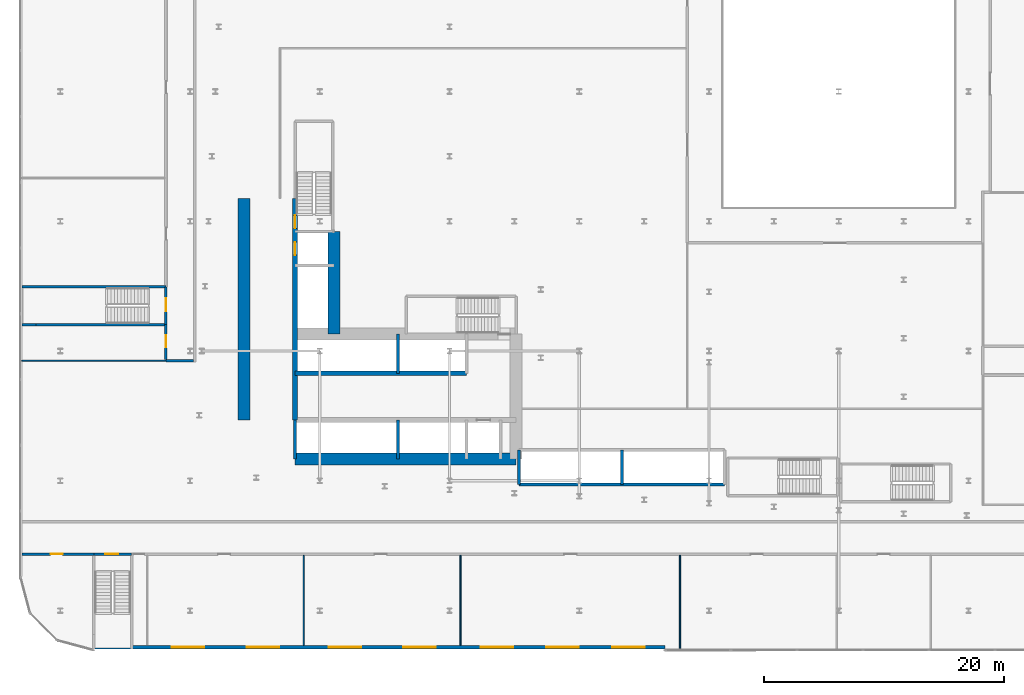
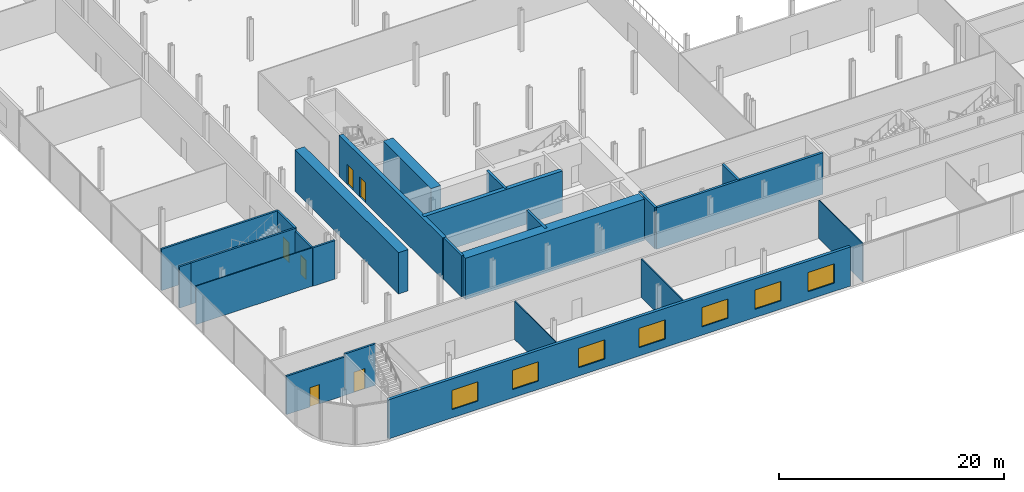
# One storey, part 26 of 47: 24 walls, 7 windows, 6 doors, 13 openings.
"""IFC4 building model written with IfcOpenShell, lengths in metres."""

from ifc_helpers import new_model, si_unit, direction, frame, frame_2d, origin, place, context, subcontext, project, spatial, rectangle, extrude, source, transform, mapped, material, layer, layer_set, type_object, element, fill, save


model = new_model("IFC4")

# Units and contexts
model_context = context("Model", 3, precision=1e-05, world=origin(), true_north=direction((0.0, 1.0)))
body_context = subcontext(model_context, "Body", "Model", "MODEL_VIEW")
ifc_project = project(units=[si_unit("LENGTHUNIT", "METRE"), si_unit("AREAUNIT", "SQUARE_METRE"), si_unit("VOLUMEUNIT", "CUBIC_METRE"), si_unit("PLANEANGLEUNIT", "RADIAN"), si_unit("MASSUNIT", "GRAM", prefix="KILO")], contexts=[model_context])

# Site, building, storey
site_placement = place(None, origin())
site = spatial("IfcSite", under=ifc_project, at=site_placement, CompositionType="ELEMENT")
building_placement = place(site_placement, origin())
building = spatial("IfcBuilding", under=site, at=building_placement, Name="Kheshtan School and Residences Tower", CompositionType="ELEMENT")
storey_placement = place(building_placement, frame((0.0, 0.0, 12.5)))
storey = spatial("IfcBuildingStorey", under=building, at=storey_placement, Name="L02", CompositionType="ELEMENT", Elevation=12.5)

# Walls
ifc_material_1 = material(Name="Concrete C80/95", Category="concrete")
ifc_layer_1 = layer(ifc_material_1, 1.0)
ifc_layer_set_1 = layer_set([ifc_layer_1], Name="Core wall 1000 Concrete C80/95")
wall_type_1 = type_object("IfcWallType", Name="Core wall 1000 Concrete C80/95", PredefinedType="SHEAR", material=ifc_layer_set_1)
wall_1_placement = place(storey_placement, frame((34.75, 25.800048828125, 0.0), z_axis=(0.0, 0.0, 1.0), x_axis=(1.0, 0.0, 0.0)))
element("IfcWall", 1, at=wall_1_placement, inside=storey, type_object=wall_type_1, Name="Core wall CW-REAR-S", PredefinedType="SHEAR", context=body_context, shape_type="SweptSolid", body=[
    extrude(rectangle(XDim=18.39990234375, YDim=1.0, at=frame_2d((9.199951171875, 0.0))), origin(), (0.0, 0.0, 1.0), 4.5),
])
wall_2_placement = place(storey_placement, frame((38.0, 36.199951171875, 0.0), z_axis=(0.0, 0.0, 1.0), x_axis=(0.0, 1.0, 0.0)))
element("IfcWall", 2, at=wall_2_placement, inside=storey, type_object=wall_type_1, Name="Core wall CW-FRONT-W", PredefinedType="SHEAR", context=body_context, shape_type="SweptSolid", body=[
    extrude(rectangle(XDim=8.550048828125, YDim=1.0, at=frame_2d((4.27490234375, 0.0))), origin(), (0.0, 0.0, 1.0), 4.5),
])
wall_3_placement = place(storey_placement, frame((30.5, 29.050048828125, 0.0), z_axis=(0.0, 0.0, 1.0), x_axis=(0.0, 1.0, 0.0)))
element("IfcWall", 3, at=wall_3_placement, inside=storey, type_object=wall_type_1, Name="Core wall CW-REAR-W", PredefinedType="SHEAR", context=body_context, shape_type="SweptSolid", body=[
    extrude(rectangle(XDim=18.449951171875, YDim=1.0, at=frame_2d((9.22509765625, 0.0))), origin(), (0.0, 0.0, 1.0), 4.5),
])
ifc_material_2 = material(Name="Concrete C50/60", Category="concrete")
ifc_layer_2 = layer(ifc_material_2, 0.39990234375)
ifc_layer_set_2 = layer_set([ifc_layer_2], Name="Core wall 400 Concrete C50/60")
wall_type_2 = type_object("IfcWallType", Name="Core wall 400 Concrete C50/60", PredefinedType="SHEAR", material=ifc_layer_set_2)
wall_4_placement = place(storey_placement, frame((34.75, 32.949951171875, 0.0), z_axis=(0.0, 0.0, 1.0), x_axis=(1.0, 0.0, 0.0)))
element("IfcWall", 4, at=wall_4_placement, inside=storey, type_object=wall_type_2, Name="Core wall CW-HALL-S2", PredefinedType="SHEAR", context=body_context, shape_type="SweptSolid", body=[
    extrude(rectangle(XDim=14.25, YDim=0.39990234375, at=frame_2d((7.125, 0.0))), origin(), (0.0, 0.0, 1.0), 4.5),
])

# Wall, openings, doors
wall_5_placement = place(storey_placement, frame((34.75, 29.050048828125, 0.0), z_axis=(0.0, 0.0, 1.0), x_axis=(0.0, 1.0, 0.0)))
wall_5 = element("IfcWall", 5, at=wall_5_placement, inside=storey, type_object=wall_type_2, Name="Core wall CW-HALL-W1", PredefinedType="SHEAR", context=body_context, shape_type="SweptSolid", body=[
    extrude(rectangle(XDim=18.449951171875, YDim=0.39990234375, at=frame_2d((9.22509765625, 0.0))), origin(), (0.0, 0.0, 1.0), 4.5),
])
opening_1_placement = place(wall_5_placement, frame((13.72509765625, 0.0, 0.0)))
opening_1 = element("IfcOpeningElement", 6, at=opening_1_placement, cuts=wall_5, Name="Opening LD", PredefinedType="OPENING", context=body_context, shape_type="SweptSolid", body=[
    extrude(rectangle(XDim=1.10009765625, YDim=2.199951171875, at=frame_2d((0.550048828125, 1.10009765625))), frame((0.0, 0.2099609375, 0.0), z_axis=(0.0, -1.0, 0.0), x_axis=(1.0, 0.0, 0.0)), (0.0, 0.0, 1.0), 0.419921875),
])
opening_2_placement = place(wall_5_placement, frame((15.949951171875, 0.0, 0.0)))
opening_2 = element("IfcOpeningElement", 7, at=opening_2_placement, cuts=wall_5, Name="Opening ST2D", PredefinedType="OPENING", context=body_context, shape_type="SweptSolid", body=[
    extrude(rectangle(XDim=1.10009765625, YDim=2.199951171875, at=frame_2d((0.550048828125, 1.10009765625))), frame((0.0, 0.2099609375, 0.0), z_axis=(0.0, -1.0, 0.0), x_axis=(1.0, 0.0, 0.0)), (0.0, 0.0, 1.0), 0.419921875),
])
ifc_material_3 = material(Name="Stainless steel door leaves", Category="steel")
door_type_1 = type_object("IfcDoorType", Name="Lift landing door 1100", OperationType="SLIDING_TO_LEFT", PredefinedType="DOOR", material=ifc_material_3)
shared_shape_1 = source(origin(), body_context, "Body", "SweptSolid", [
    extrude(rectangle(XDim=1.10009765625, YDim=2.199951171875, at=frame_2d((0.550048828125, 1.10009765625))), frame((0.0, 0.02490234375, 0.0), z_axis=(0.0, -1.0, 0.0), x_axis=(1.0, 0.0, 0.0)), (0.0, 0.0, 1.0), 0.050048828125),
])
door_1_placement = place(opening_1_placement, origin())
door_1 = element("IfcDoor", 8, at=door_1_placement, inside=storey, type_object=door_type_1, Name="Lift FFL1 landing door", OperationType="SLIDING_TO_LEFT", OverallHeight=2.199951171875, OverallWidth=1.10009765625, PredefinedType="DOOR", context=body_context, shape_type="MappedRepresentation", body=[
    mapped(shared_shape_1, transform((0.0, 0.0, 0.0), x_axis=(1.0, 0.0, 0.0), y_axis=(0.0, 1.0, 0.0), z_axis=(0.0, 0.0, 1.0), scale=1.0)),
])
fill(opening_1, door_1)
ifc_material_4 = material(Name="Steel door leaf, galvanised", Category="steel")
door_type_2 = type_object("IfcDoorType", Name="Stair door 1100 steel 90 min", OperationType="SINGLE_SWING_LEFT", PredefinedType="DOOR", material=ifc_material_4)
shared_shape_2 = source(origin(), body_context, "Body", "SweptSolid", [
    extrude(rectangle(XDim=1.10009765625, YDim=2.199951171875, at=frame_2d((0.550048828125, 1.10009765625))), frame((0.0, 0.02490234375, 0.0), z_axis=(0.0, -1.0, 0.0), x_axis=(1.0, 0.0, 0.0)), (0.0, 0.0, 1.0), 0.050048828125),
])
door_2_placement = place(opening_2_placement, origin())
door_2 = element("IfcDoor", 9, at=door_2_placement, inside=storey, type_object=door_type_2, Name="Stair ST2 door", OperationType="SINGLE_SWING_RIGHT", OverallHeight=2.199951171875, OverallWidth=1.10009765625, PredefinedType="DOOR", context=body_context, shape_type="MappedRepresentation", body=[
    mapped(shared_shape_2, transform((0.0, 0.0, 0.0), x_axis=(1.0, 0.0, 0.0), y_axis=(0.0, 1.0, 0.0), z_axis=(0.0, 0.0, 1.0), scale=1.0)),
])
fill(opening_2, door_2)

# Wall, opening, door
ifc_material_5 = material(Name="Gypsum board on steel studs with fire boards", Category="steel")
ifc_layer_3 = layer(ifc_material_5, 0.199951171875)
ifc_layer_set_3 = layer_set([ifc_layer_3], Name="Corridor wall 200")
wall_type_3 = type_object("IfcWallType", Name="Corridor wall 200", PredefinedType="PARTITIONING", material=ifc_layer_set_3)
wall_6_placement = place(storey_placement, frame((12.0, 17.89990234375, 0.0), z_axis=(0.0, 0.0, 1.0), x_axis=(1.0, 0.0, 0.0)))
wall_6 = element("IfcWall", 10, at=wall_6_placement, inside=storey, type_object=wall_type_3, Name="Partition L02-001", PredefinedType="PARTITIONING", context=body_context, shape_type="SweptSolid", body=[
    extrude(rectangle(XDim=6.0, YDim=0.199951171875, at=frame_2d((3.0, 0.0))), origin(), (0.0, 0.0, 1.0), 4.179931640625),
])
opening_3_placement = place(wall_6_placement, frame((2.39990234375, 0.0, 0.0)))
opening_3 = element("IfcOpeningElement", 11, at=opening_3_placement, cuts=wall_6, Name="Opening D02-034", PredefinedType="OPENING", context=body_context, shape_type="SweptSolid", body=[
    extrude(rectangle(XDim=1.0, YDim=2.10009765625, at=frame_2d((0.5, 1.050048828125))), frame((0.0, 0.10986328125, 0.0), z_axis=(0.0, -1.0, 0.0), x_axis=(1.0, 0.0, 0.0)), (0.0, 0.0, 1.0), 0.219970703125),
])
ifc_material_6 = material(Name="Steel-framed fire-resisting door leaf", Category="steel")
door_type_3 = type_object("IfcDoorType", Name="Fire door FD60 1000 x 2100", OperationType="SINGLE_SWING_LEFT", PredefinedType="DOOR", material=ifc_material_6)
shared_shape_3 = source(origin(), body_context, "Body", "SweptSolid", [
    extrude(rectangle(XDim=1.0, YDim=2.10009765625, at=frame_2d((0.5, 1.050048828125))), frame((0.0, 0.02490234375, 0.0), z_axis=(0.0, -1.0, 0.0), x_axis=(1.0, 0.0, 0.0)), (0.0, 0.0, 1.0), 0.050048828125),
])
door_3_placement = place(opening_3_placement, origin())
door_3 = element("IfcDoor", 12, at=door_3_placement, inside=storey, type_object=door_type_3, Name="Door D02-034", OperationType="SINGLE_SWING_LEFT", OverallHeight=2.10009765625, OverallWidth=1.0, PredefinedType="DOOR", context=body_context, shape_type="MappedRepresentation", body=[
    mapped(shared_shape_3, transform((0.0, 0.0, 0.0), x_axis=(1.0, 0.0, 0.0), y_axis=(0.0, 1.0, 0.0), z_axis=(0.0, 0.0, 1.0), scale=1.0)),
])
fill(opening_3, door_3)

# Wall
wall_7_placement = place(storey_placement, frame((24.0, 34.0, 0.0), z_axis=(0.0, 0.0, 1.0), x_axis=(1.0, 0.0, 0.0)))
element("IfcWall", 13, at=wall_7_placement, inside=storey, type_object=wall_type_3, Name="Partition L02-010", PredefinedType="PARTITIONING", context=body_context, shape_type="SweptSolid", body=[
    extrude(rectangle(XDim=2.300048828125, YDim=0.199951171875, at=frame_2d((1.14990234375, 0.0))), origin(), (0.0, 0.0, 1.0), 4.179931640625),
])

# Wall, opening, door
wall_8_placement = place(storey_placement, frame((24.0, 34.10009765625, 0.0), z_axis=(0.0, 0.0, 1.0), x_axis=(0.0, 1.0, 0.0)))
wall_8 = element("IfcWall", 14, at=wall_8_placement, inside=storey, type_object=wall_type_3, Name="Partition L02-011", PredefinedType="PARTITIONING", context=body_context, shape_type="SweptSolid", body=[
    extrude(rectangle(XDim=2.89990234375, YDim=0.199951171875, at=frame_2d((1.449951171875, 0.0))), origin(), (0.0, 0.0, 1.0), 4.179931640625),
])
opening_4_placement = place(wall_8_placement, frame((1.0, 0.0, 0.0)))
opening_4 = element("IfcOpeningElement", 15, at=opening_4_placement, cuts=wall_8, Name="Opening D02-052", PredefinedType="OPENING", context=body_context, shape_type="SweptSolid", body=[
    extrude(rectangle(XDim=1.0, YDim=2.10009765625, at=frame_2d((0.5, 1.050048828125))), frame((0.0, 0.10986328125, 0.0), z_axis=(0.0, -1.0, 0.0), x_axis=(1.0, 0.0, 0.0)), (0.0, 0.0, 1.0), 0.219970703125),
])
door_4_placement = place(opening_4_placement, origin())
door_4 = element("IfcDoor", 16, at=door_4_placement, inside=storey, type_object=door_type_3, Name="Door D02-052", OperationType="SINGLE_SWING_RIGHT", OverallHeight=2.10009765625, OverallWidth=1.0, PredefinedType="DOOR", context=body_context, shape_type="MappedRepresentation", body=[
    mapped(shared_shape_3, transform((0.0, 0.0, 0.0), x_axis=(1.0, 0.0, 0.0), y_axis=(0.0, 1.0, 0.0), z_axis=(0.0, 0.0, 1.0), scale=1.0)),
])
fill(opening_4, door_4)

# Walls
ifc_material_7 = material(Name="Gypsum board on steel studs", Category="steel")
ifc_layer_4 = layer(ifc_material_7, 0.10009765625)
ifc_layer_set_4 = layer_set([ifc_layer_4], Name="Gypsum partition 100")
wall_type_4 = type_object("IfcWallType", Name="Gypsum partition 100", PredefinedType="PARTITIONING", material=ifc_layer_set_4)
wall_9_placement = place(storey_placement, frame((12.0, 34.0, 0.0), z_axis=(0.0, 0.0, 1.0), x_axis=(1.0, 0.0, 0.0)))
element("IfcWall", 17, at=wall_9_placement, inside=storey, type_object=wall_type_4, Name="Partition L02-003", PredefinedType="PARTITIONING", context=body_context, shape_type="SweptSolid", body=[
    extrude(rectangle(XDim=12.0, YDim=0.10009765625, at=frame_2d((6.0, 0.0))), origin(), (0.0, 0.0, 1.0), 4.179931640625),
])
for number, where, z_axis, x_axis, name in (
    (18, (35.47802734375, 10.299072265625, 0.0), (0.0, 0.0, 1.0), (0.0, 1.0, 0.0), "Partition L02-017"),
    (19, (48.52197265625, 10.299072265625, 0.0), (0.0, 0.0, 1.0), (0.0, 1.0, 0.0), "Partition L02-018"),
):
    element("IfcWall", number, at=place(storey_placement, frame(where, z_axis=z_axis, x_axis=x_axis)), inside=storey, type_object=wall_type_4, Name=name, PredefinedType="PARTITIONING", context=body_context, shape_type="SweptSolid", body=[
        extrude(rectangle(XDim=7.5009765625, YDim=0.10009765625, at=frame_2d((3.75048828125, 0.0))), origin(), (0.0, 0.0, 1.0), 4.179931640625),
    ])
wall_10_placement = place(storey_placement, frame((66.782958984375, 10.0, 0.0), z_axis=(0.0, 0.0, 1.0), x_axis=(0.0, 1.0, 0.0)))
element("IfcWall", 20, at=wall_10_placement, inside=storey, type_object=wall_type_4, Name="Partition L02-028", PredefinedType="PARTITIONING", context=body_context, shape_type="SweptSolid", body=[
    extrude(rectangle(XDim=7.800048828125, YDim=0.10009765625, at=frame_2d((3.89990234375, 0.0))), origin(), (0.0, 0.0, 1.0), 4.179931640625),
])

# Wall, openings, windows
ifc_material_8 = material(Name="Concrete C40/50 with ceramic cladding and mineral wool insulation", Category="concrete")
ifc_layer_5 = layer(ifc_material_8, 0.300048828125)
ifc_layer_set_5 = layer_set([ifc_layer_5], Name="Podium external wall 300")
wall_type_5 = type_object("IfcWallType", Name="Podium external wall 300", PredefinedType="SOLIDWALL", material=ifc_layer_set_5)
wall_11_placement = place(storey_placement, frame((65.52001953125, 10.14990234375, 0.0), z_axis=(0.0, 0.0, 1.0), x_axis=(-1.0, 0.0, 0.0)))
wall_11 = element("IfcWall", 21, at=wall_11_placement, inside=storey, type_object=wall_type_5, Name="Podium external wall L02 12.1", PredefinedType="SOLIDWALL", context=body_context, shape_type="SweptSolid", body=[
    extrude(rectangle(XDim=47.52001953125, YDim=0.300048828125, at=frame_2d((23.760009765625, 0.0))), origin(), (0.0, 0.0, 1.0), 4.25),
])
opening_5_placement = place(wall_11_placement, frame((1.68310546875, 0.0, 0.89990234375)))
opening_5 = element("IfcOpeningElement", 22, at=opening_5_placement, cuts=wall_11, Name="Opening WN-D", PredefinedType="OPENING", context=body_context, shape_type="SweptSolid", body=[
    extrude(rectangle(XDim=2.699951171875, YDim=2.10009765625, at=frame_2d((1.35009765625, 1.050048828125))), frame((0.0, 0.16015625, 0.0), z_axis=(0.0, -1.0, 0.0), x_axis=(1.0, 0.0, 0.0)), (0.0, 0.0, 1.0), 0.320068359375),
])
opening_6_placement = place(wall_11_placement, frame((7.14990234375, 0.0, 0.89990234375)))
opening_6 = element("IfcOpeningElement", 23, at=opening_6_placement, cuts=wall_11, Name="Opening WN-D", PredefinedType="OPENING", context=body_context, shape_type="SweptSolid", body=[
    extrude(rectangle(XDim=2.699951171875, YDim=2.10009765625, at=frame_2d((1.35009765625, 1.050048828125))), frame((0.0, 0.16015625, 0.0), z_axis=(0.0, -1.0, 0.0), x_axis=(1.0, 0.0, 0.0)), (0.0, 0.0, 1.0), 0.320068359375),
])
opening_7_placement = place(wall_11_placement, frame((12.616943359375, 0.0, 0.89990234375)))
opening_7 = element("IfcOpeningElement", 24, at=opening_7_placement, cuts=wall_11, Name="Opening WN-D", PredefinedType="OPENING", context=body_context, shape_type="SweptSolid", body=[
    extrude(rectangle(XDim=2.699951171875, YDim=2.10009765625, at=frame_2d((1.35009765625, 1.050048828125))), frame((0.0, 0.16015625, 0.0), z_axis=(0.0, -1.0, 0.0), x_axis=(1.0, 0.0, 0.0)), (0.0, 0.0, 1.0), 0.320068359375),
])
opening_8_placement = place(wall_11_placement, frame((19.06005859375, 0.0, 0.89990234375)))
opening_8 = element("IfcOpeningElement", 25, at=opening_8_placement, cuts=wall_11, Name="Opening WN-D", PredefinedType="OPENING", context=body_context, shape_type="SweptSolid", body=[
    extrude(rectangle(XDim=2.699951171875, YDim=2.10009765625, at=frame_2d((1.35009765625, 1.050048828125))), frame((0.0, 0.16015625, 0.0), z_axis=(0.0, -1.0, 0.0), x_axis=(1.0, 0.0, 0.0)), (0.0, 0.0, 1.0), 0.320068359375),
])
opening_9_placement = place(wall_11_placement, frame((25.280029296875, 0.0, 0.89990234375)))
opening_9 = element("IfcOpeningElement", 26, at=opening_9_placement, cuts=wall_11, Name="Opening WN-D", PredefinedType="OPENING", context=body_context, shape_type="SweptSolid", body=[
    extrude(rectangle(XDim=2.699951171875, YDim=2.10009765625, at=frame_2d((1.35009765625, 1.050048828125))), frame((0.0, 0.16015625, 0.0), z_axis=(0.0, -1.0, 0.0), x_axis=(1.0, 0.0, 0.0)), (0.0, 0.0, 1.0), 0.320068359375),
])
opening_10_placement = place(wall_11_placement, frame((32.10009765625, 0.0, 0.89990234375)))
opening_10 = element("IfcOpeningElement", 27, at=opening_10_placement, cuts=wall_11, Name="Opening WN-D", PredefinedType="OPENING", context=body_context, shape_type="SweptSolid", body=[
    extrude(rectangle(XDim=2.699951171875, YDim=2.10009765625, at=frame_2d((1.35009765625, 1.050048828125))), frame((0.0, 0.16015625, 0.0), z_axis=(0.0, -1.0, 0.0), x_axis=(1.0, 0.0, 0.0)), (0.0, 0.0, 1.0), 0.320068359375),
])
opening_11_placement = place(wall_11_placement, frame((38.320068359375, 0.0, 0.89990234375)))
opening_11 = element("IfcOpeningElement", 28, at=opening_11_placement, cuts=wall_11, Name="Opening WN-D", PredefinedType="OPENING", context=body_context, shape_type="SweptSolid", body=[
    extrude(rectangle(XDim=2.699951171875, YDim=2.10009765625, at=frame_2d((1.35009765625, 1.050048828125))), frame((0.0, 0.16015625, 0.0), z_axis=(0.0, -1.0, 0.0), x_axis=(1.0, 0.0, 0.0)), (0.0, 0.0, 1.0), 0.320068359375),
])
ifc_material_9 = material(Name="Clear low-e glass in thermally broken aluminium frame", Category="aluminium")
window_type = type_object("IfcWindowType", Name="Window WN-D", PartitioningType="SINGLE_PANEL", PredefinedType="WINDOW", material=ifc_material_9)
shared_shape_4 = source(origin(), body_context, "Body", "SweptSolid", [
    extrude(rectangle(XDim=2.699951171875, YDim=2.10009765625, at=frame_2d((1.35009765625, 1.050048828125))), frame((0.0, 0.030029296875, 0.0), z_axis=(0.0, -1.0, 0.0), x_axis=(1.0, 0.0, 0.0)), (0.0, 0.0, 1.0), 0.06005859375),
])
window_1_placement = place(opening_5_placement, origin())
window_1 = element("IfcWindow", 29, at=window_1_placement, inside=storey, type_object=window_type, Name="Window L02 12.1.1", OverallHeight=2.10009765625, OverallWidth=2.699951171875, PartitioningType="SINGLE_PANEL", PredefinedType="WINDOW", context=body_context, shape_type="MappedRepresentation", body=[
    mapped(shared_shape_4, transform((0.0, 0.0, 0.0), x_axis=(1.0, 0.0, 0.0), y_axis=(0.0, 1.0, 0.0), z_axis=(0.0, 0.0, 1.0), scale=1.0)),
])
fill(opening_5, window_1)
window_2_placement = place(opening_6_placement, origin())
window_2 = element("IfcWindow", 30, at=window_2_placement, inside=storey, type_object=window_type, Name="Window L02 12.1.2", OverallHeight=2.10009765625, OverallWidth=2.699951171875, PartitioningType="SINGLE_PANEL", PredefinedType="WINDOW", context=body_context, shape_type="MappedRepresentation", body=[
    mapped(shared_shape_4, transform((0.0, 0.0, 0.0), x_axis=(1.0, 0.0, 0.0), y_axis=(0.0, 1.0, 0.0), z_axis=(0.0, 0.0, 1.0), scale=1.0)),
])
fill(opening_6, window_2)
window_3_placement = place(opening_7_placement, origin())
window_3 = element("IfcWindow", 31, at=window_3_placement, inside=storey, type_object=window_type, Name="Window L02 12.1.3", OverallHeight=2.10009765625, OverallWidth=2.699951171875, PartitioningType="SINGLE_PANEL", PredefinedType="WINDOW", context=body_context, shape_type="MappedRepresentation", body=[
    mapped(shared_shape_4, transform((0.0, 0.0, 0.0), x_axis=(1.0, 0.0, 0.0), y_axis=(0.0, 1.0, 0.0), z_axis=(0.0, 0.0, 1.0), scale=1.0)),
])
fill(opening_7, window_3)
window_4_placement = place(opening_8_placement, origin())
window_4 = element("IfcWindow", 32, at=window_4_placement, inside=storey, type_object=window_type, Name="Window L02 12.1.4", OverallHeight=2.10009765625, OverallWidth=2.699951171875, PartitioningType="SINGLE_PANEL", PredefinedType="WINDOW", context=body_context, shape_type="MappedRepresentation", body=[
    mapped(shared_shape_4, transform((0.0, 0.0, 0.0), x_axis=(1.0, 0.0, 0.0), y_axis=(0.0, 1.0, 0.0), z_axis=(0.0, 0.0, 1.0), scale=1.0)),
])
fill(opening_8, window_4)
window_5_placement = place(opening_9_placement, origin())
window_5 = element("IfcWindow", 33, at=window_5_placement, inside=storey, type_object=window_type, Name="Window L02 12.1.5", OverallHeight=2.10009765625, OverallWidth=2.699951171875, PartitioningType="SINGLE_PANEL", PredefinedType="WINDOW", context=body_context, shape_type="MappedRepresentation", body=[
    mapped(shared_shape_4, transform((0.0, 0.0, 0.0), x_axis=(1.0, 0.0, 0.0), y_axis=(0.0, 1.0, 0.0), z_axis=(0.0, 0.0, 1.0), scale=1.0)),
])
fill(opening_9, window_5)
window_6_placement = place(opening_10_placement, origin())
window_6 = element("IfcWindow", 34, at=window_6_placement, inside=storey, type_object=window_type, Name="Window L02 12.1.6", OverallHeight=2.10009765625, OverallWidth=2.699951171875, PartitioningType="SINGLE_PANEL", PredefinedType="WINDOW", context=body_context, shape_type="MappedRepresentation", body=[
    mapped(shared_shape_4, transform((0.0, 0.0, 0.0), x_axis=(1.0, 0.0, 0.0), y_axis=(0.0, 1.0, 0.0), z_axis=(0.0, 0.0, 1.0), scale=1.0)),
])
fill(opening_10, window_6)
window_7_placement = place(opening_11_placement, origin())
window_7 = element("IfcWindow", 35, at=window_7_placement, inside=storey, type_object=window_type, Name="Window L02 12.1.7", OverallHeight=2.10009765625, OverallWidth=2.699951171875, PartitioningType="SINGLE_PANEL", PredefinedType="WINDOW", context=body_context, shape_type="MappedRepresentation", body=[
    mapped(shared_shape_4, transform((0.0, 0.0, 0.0), x_axis=(1.0, 0.0, 0.0), y_axis=(0.0, 1.0, 0.0), z_axis=(0.0, 0.0, 1.0), scale=1.0)),
])
fill(opening_11, window_7)

# Walls
ifc_material_10 = material(Name="Fire-board shaft wall system")
ifc_layer_6 = layer(ifc_material_10, 0.25)
ifc_layer_set_6 = layer_set([ifc_layer_6], Name="Shaft lining wall 250")
wall_type_6 = type_object("IfcWallType", Name="Shaft lining wall 250", PredefinedType="PARTITIONING", material=ifc_layer_set_6)
for number, where, z_axis, x_axis, name in (
    (36, (34.75, 25.800048828125, 0.0), (0.0, 0.0, 1.0), (0.0, 1.0, 0.0), "Shaft lining wall"),
    (37, (43.300048828125, 25.800048828125, 0.0), (0.0, 0.0, 1.0), (0.0, 1.0, 0.0), "Shaft lining wall"),
    (38, (43.300048828125, 32.949951171875, 0.0), (0.0, 0.0, 1.0), (0.0, 1.0, 0.0), "Shaft lining wall"),
):
    element("IfcWall", number, at=place(storey_placement, frame(where, z_axis=z_axis, x_axis=x_axis)), inside=storey, type_object=wall_type_6, Name=name, PredefinedType="PARTITIONING", context=body_context, shape_type="SweptSolid", body=[
        extrude(rectangle(XDim=3.25, YDim=0.25, at=frame_2d((1.625, 0.0))), origin(), (0.0, 0.0, 1.0), 4.5),
    ])
for number, where, z_axis, x_axis, name in (
    (39, (53.39990234375, 23.699951171875, 0.0), (0.0, 0.0, 1.0), (0.0, 1.0, 0.0), "Shaft lining wall"),
    (40, (61.949951171875, 23.699951171875, 0.0), (0.0, 0.0, 1.0), (0.0, 1.0, 0.0), "Shaft lining wall"),
):
    element("IfcWall", number, at=place(storey_placement, frame(where, z_axis=z_axis, x_axis=x_axis)), inside=storey, type_object=wall_type_6, Name=name, PredefinedType="PARTITIONING", context=body_context, shape_type="SweptSolid", body=[
        extrude(rectangle(XDim=2.85009765625, YDim=0.25, at=frame_2d((1.425048828125, 0.0))), origin(), (0.0, 0.0, 1.0), 4.5),
    ])
wall_12_placement = place(storey_placement, frame((53.39990234375, 23.699951171875, 0.0), z_axis=(0.0, 0.0, 1.0), x_axis=(1.0, 0.0, 0.0)))
element("IfcWall", 41, at=wall_12_placement, inside=storey, type_object=wall_type_6, Name="Shaft lining wall", PredefinedType="PARTITIONING", context=body_context, shape_type="SweptSolid", body=[
    extrude(rectangle(XDim=17.10009765625, YDim=0.25, at=frame_2d((8.550048828125, 0.0))), origin(), (0.0, 0.0, 1.0), 4.5),
])

# Wall, opening, door
ifc_material_11 = material(Name="Concrete C40/50", Category="concrete")
ifc_layer_7 = layer(ifc_material_11, 0.199951171875)
ifc_layer_set_7 = layer_set([ifc_layer_7], Name="Stair enclosure wall 200 Concrete C40/50")
wall_type_7 = type_object("IfcWallType", Name="Stair enclosure wall 200 Concrete C40/50", PredefinedType="SHEAR", material=ifc_layer_set_7)
wall_13_placement = place(storey_placement, frame((18.0, 17.89990234375, 0.0), z_axis=(0.0, 0.0, 1.0), x_axis=(1.0, 0.0, 0.0)))
wall_13 = element("IfcWall", 42, at=wall_13_placement, inside=storey, type_object=wall_type_7, Name="Stair enclosure wall", PredefinedType="SHEAR", context=body_context, shape_type="SweptSolid", body=[
    extrude(rectangle(XDim=3.14990234375, YDim=0.199951171875, at=frame_2d((1.574951171875, 0.0))), origin(), (0.0, 0.0, 1.0), 4.5),
])
opening_12_placement = place(wall_13_placement, frame((0.949951171875, 0.0, 0.0)))
opening_12 = element("IfcOpeningElement", 43, at=opening_12_placement, cuts=wall_13, Name="Opening SD90", PredefinedType="OPENING", context=body_context, shape_type="SweptSolid", body=[
    extrude(rectangle(XDim=1.10009765625, YDim=2.199951171875, at=frame_2d((0.550048828125, 1.10009765625))), frame((0.0, 0.10986328125, 0.0), z_axis=(0.0, -1.0, 0.0), x_axis=(1.0, 0.0, 0.0)), (0.0, 0.0, 1.0), 0.219970703125),
])
door_5_placement = place(opening_12_placement, origin())
door_5 = element("IfcDoor", 44, at=door_5_placement, inside=storey, type_object=door_type_2, Name="Stair door", OperationType="SINGLE_SWING_RIGHT", OverallHeight=2.199951171875, OverallWidth=1.10009765625, PredefinedType="DOOR", context=body_context, shape_type="MappedRepresentation", body=[
    mapped(shared_shape_2, transform((0.0, 0.0, 0.0), x_axis=(1.0, 0.0, 0.0), y_axis=(0.0, 1.0, 0.0), z_axis=(0.0, 0.0, 1.0), scale=1.0)),
])
fill(opening_12, door_5)

# Walls
wall_14_placement = place(storey_placement, frame((12.0, 37.0, 0.0), z_axis=(0.0, 0.0, 1.0), x_axis=(1.0, 0.0, 0.0)))
element("IfcWall", 45, at=wall_14_placement, inside=storey, type_object=wall_type_7, Name="Stair enclosure wall", PredefinedType="SHEAR", context=body_context, shape_type="SweptSolid", body=[
    extrude(rectangle(XDim=1.199951171875, YDim=0.199951171875, at=frame_2d((0.60009765625, 0.0))), origin(), (0.0, 0.0, 1.0), 4.5),
])
wall_15_placement = place(storey_placement, frame((13.199951171875, 37.0, 0.0), z_axis=(0.0, 0.0, 1.0), x_axis=(1.0, 0.0, 0.0)))
element("IfcWall", 46, at=wall_15_placement, inside=storey, type_object=wall_type_7, Name="Stair enclosure wall", PredefinedType="SHEAR", context=body_context, shape_type="SweptSolid", body=[
    extrude(rectangle(XDim=10.800048828125, YDim=0.199951171875, at=frame_2d((5.39990234375, 0.0))), origin(), (0.0, 0.0, 1.0), 4.5),
])
wall_16_placement = place(storey_placement, frame((12.0, 40.14990234375, 0.0), z_axis=(0.0, 0.0, 1.0), x_axis=(1.0, 0.0, 0.0)))
element("IfcWall", 47, at=wall_16_placement, inside=storey, type_object=wall_type_7, Name="Stair enclosure wall", PredefinedType="SHEAR", context=body_context, shape_type="SweptSolid", body=[
    extrude(rectangle(XDim=12.0, YDim=0.199951171875, at=frame_2d((6.0, 0.0))), origin(), (0.0, 0.0, 1.0), 4.5),
])

# Wall, opening, door
wall_17_placement = place(storey_placement, frame((24.0, 37.0, 0.0), z_axis=(0.0, 0.0, 1.0), x_axis=(0.0, 1.0, 0.0)))
wall_17 = element("IfcWall", 48, at=wall_17_placement, inside=storey, type_object=wall_type_7, Name="Stair enclosure wall", PredefinedType="SHEAR", context=body_context, shape_type="SweptSolid", body=[
    extrude(rectangle(XDim=3.14990234375, YDim=0.199951171875, at=frame_2d((1.574951171875, 0.0))), origin(), (0.0, 0.0, 1.0), 4.5),
])
opening_13_placement = place(wall_17_placement, frame((1.10009765625, 0.0, 0.0)))
opening_13 = element("IfcOpeningElement", 49, at=opening_13_placement, cuts=wall_17, Name="Opening SD90", PredefinedType="OPENING", context=body_context, shape_type="SweptSolid", body=[
    extrude(rectangle(XDim=1.10009765625, YDim=2.199951171875, at=frame_2d((0.550048828125, 1.10009765625))), frame((0.0, 0.10986328125, 0.0), z_axis=(0.0, -1.0, 0.0), x_axis=(1.0, 0.0, 0.0)), (0.0, 0.0, 1.0), 0.219970703125),
])
door_6_placement = place(opening_13_placement, origin())
door_6 = element("IfcDoor", 50, at=door_6_placement, inside=storey, type_object=door_type_2, Name="Stair door", OperationType="SINGLE_SWING_RIGHT", OverallHeight=2.199951171875, OverallWidth=1.10009765625, PredefinedType="DOOR", context=body_context, shape_type="MappedRepresentation", body=[
    mapped(shared_shape_2, transform((0.0, 0.0, 0.0), x_axis=(1.0, 0.0, 0.0), y_axis=(0.0, 1.0, 0.0), z_axis=(0.0, 0.0, 1.0), scale=1.0)),
])
fill(opening_13, door_6)

save(model, "model.ifc")
